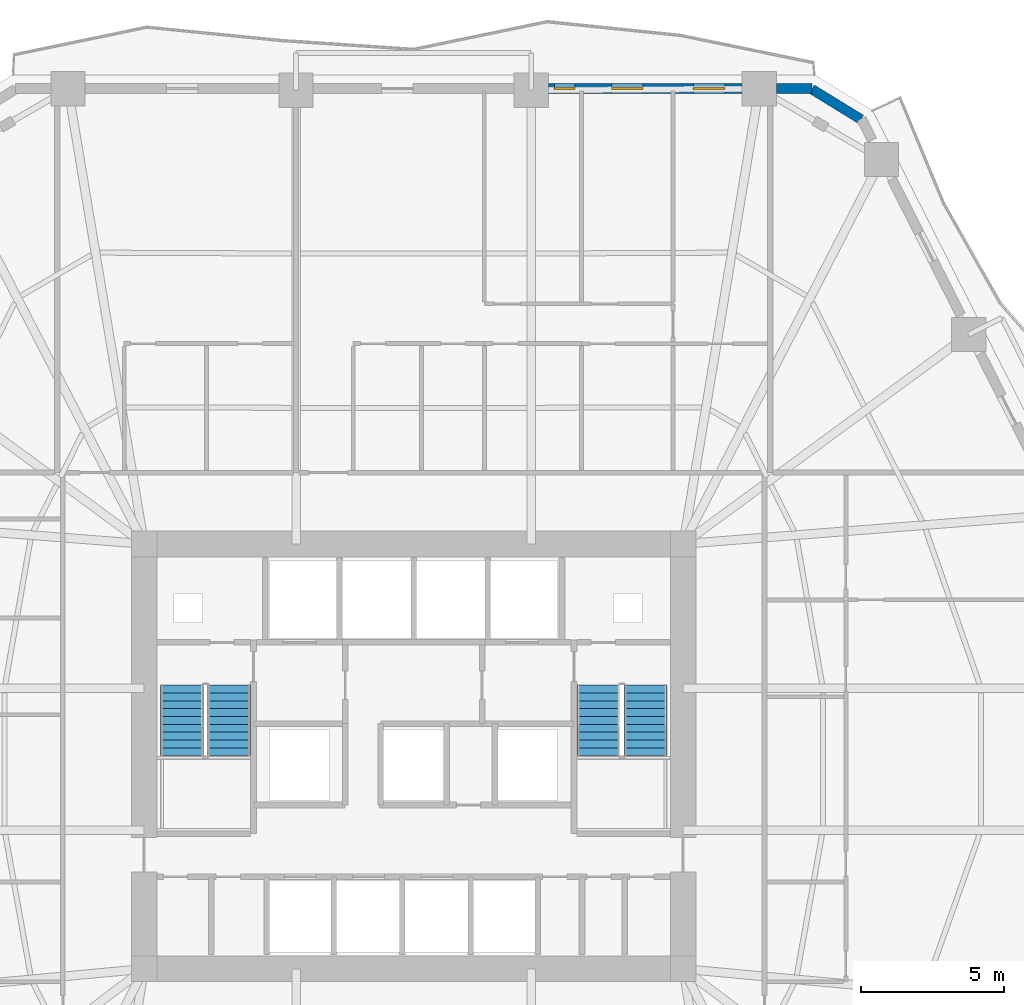
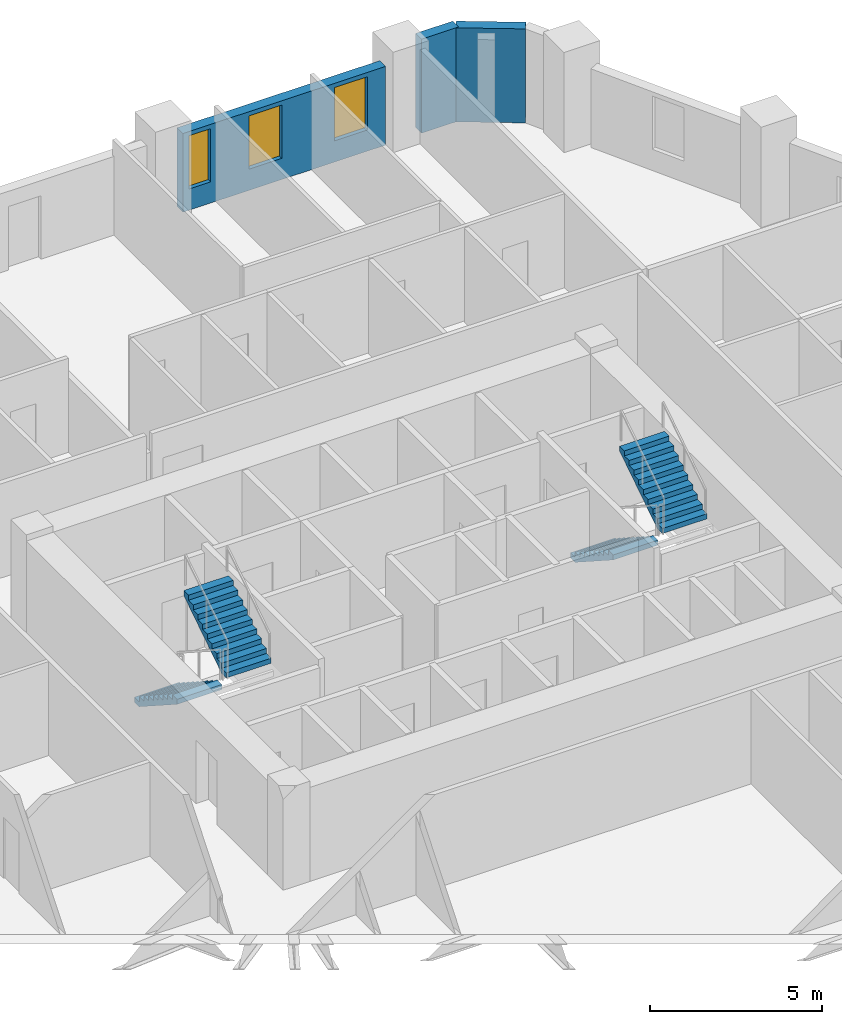
# One storey, part 8 of 11: 4 stair flights, 3 walls, 3 windows, 3 openings, 2 elements without a shape of their own.
"""IFC4 building model written with IfcOpenShell, lengths in metres."""

from ifc_helpers import new_model, si_unit, direction, frame, frame_2d, origin, place, context, subcontext, project, spatial, polyline, rectangle, outline, extrude, material, layer, layer_set, type_object, element, fill, aggregate, save


model = new_model("IFC4")

# Units and contexts
model_context = context("Model", 3, precision=1e-05, world=origin(), true_north=direction((0.0, 1.0)))
body_context = subcontext(model_context, "Body", "Model", "MODEL_VIEW")
ifc_project = project(units=[si_unit("LENGTHUNIT", "METRE"), si_unit("AREAUNIT", "SQUARE_METRE"), si_unit("VOLUMEUNIT", "CUBIC_METRE"), si_unit("PLANEANGLEUNIT", "RADIAN"), si_unit("MASSUNIT", "GRAM", prefix="KILO")], contexts=[model_context])

# Site, building, storey
site_placement = place(None, origin())
site = spatial("IfcSite", under=ifc_project, at=site_placement, CompositionType="ELEMENT")
building_placement = place(site_placement, origin())
building = spatial("IfcBuilding", under=site, at=building_placement, Name="Cinnabar Lancet Tower", CompositionType="ELEMENT")
storey_placement = place(building_placement, frame((0.0, 0.0, 46.199951171875)))
storey = spatial("IfcBuildingStorey", under=building, at=storey_placement, Name="L11", CompositionType="ELEMENT", Elevation=46.199951171875)

# Walls
ifc_material_1 = material(Name="Cinnabar red clay brick", Category="masonry")
ifc_layer = layer(ifc_material_1, 0.340087890625)
ifc_layer_set = layer_set([ifc_layer], Name="Cinnabar red clay brick")
wall_type = type_object("IfcWallType", Name="ENV-WL-BRK-RED-340", PredefinedType="STANDARD", material=ifc_layer_set)
wall_1_placement = place(storey_placement, frame((48.080078125, 48.238037109375, 0.0), z_axis=(0.0, 0.0, 1.0), x_axis=(-0.851870104345, 0.523753114857, 0.0)))
element("IfcWall", 1, at=wall_1_placement, inside=storey, type_object=wall_type, Name="L11 Chamfered Corner Brick Pier 4.1", PredefinedType="STANDARD", context=body_context, shape_type="SweptSolid", body=[
    extrude(rectangle(XDim=2.017822265625, YDim=0.340087890625, at=frame_2d((1.0087890625, 0.0))), origin(), (0.0, 0.0, 1.0), 3.330078125),
])
wall_2_placement = place(storey_placement, frame((46.365966796875, 49.320068359375, 0.0), z_axis=(0.0, 0.0, 1.0), x_axis=(-1.0, 0.0, 0.0)))
element("IfcWall", 2, at=wall_2_placement, inside=storey, type_object=wall_type, Name="L11 Face 4 Masonry Bay Wall 1", PredefinedType="STANDARD", context=body_context, shape_type="SweptSolid", body=[
    extrude(rectangle(XDim=1.244873046875, YDim=0.340087890625, at=frame_2d((0.62255859375, 0.0))), origin(), (0.0, 0.0, 1.0), 3.330078125),
])

# Wall, openings, windows
wall_3_placement = place(storey_placement, frame((43.9130859375, 49.320068359375, 0.0), z_axis=(0.0, 0.0, 1.0), x_axis=(-1.0, 0.0, 0.0)))
wall_3 = element("IfcWall", 3, at=wall_3_placement, inside=storey, type_object=wall_type, Name="L11 Face 4 Masonry Bay Wall 2", PredefinedType="STANDARD", context=body_context, shape_type="SweptSolid", body=[
    extrude(rectangle(XDim=6.787109375, YDim=0.340087890625, at=frame_2d((3.3935546875, 0.0))), origin(), (0.0, 0.0, 1.0), 2.787109375),
])
opening_1_placement = place(wall_3_placement, frame((0.60400390625, 0.0, 0.75)))
opening_1 = element("IfcOpeningElement", 4, at=opening_1_placement, cuts=wall_3, Name="Opening WN-04", PredefinedType="OPENING", context=body_context, shape_type="SweptSolid", body=[
    extrude(rectangle(XDim=1.10009765625, YDim=1.886962890625, at=frame_2d((0.550048828125, 0.943359375))), frame((0.0, 0.179931640625, 0.0), z_axis=(0.0, -1.0, 0.0), x_axis=(1.0, 0.0, 0.0)), (0.0, 0.0, 1.0), 0.360107421875),
])
opening_2_placement = place(wall_3_placement, frame((3.47412109375, 0.0, 0.75)))
opening_2 = element("IfcOpeningElement", 5, at=opening_2_placement, cuts=wall_3, Name="Opening WN-04", PredefinedType="OPENING", context=body_context, shape_type="SweptSolid", body=[
    extrude(rectangle(XDim=1.10009765625, YDim=1.886962890625, at=frame_2d((0.550048828125, 0.943359375))), frame((0.0, 0.179931640625, 0.0), z_axis=(0.0, -1.0, 0.0), x_axis=(1.0, 0.0, 0.0)), (0.0, 0.0, 1.0), 0.360107421875),
])
opening_3_placement = place(wall_3_placement, frame((5.861083984375, 0.0, 0.75)))
opening_3 = element("IfcOpeningElement", 6, at=opening_3_placement, cuts=wall_3, Name="Opening WN-04", PredefinedType="OPENING", context=body_context, shape_type="SweptSolid", body=[
    extrude(rectangle(XDim=0.716064453125, YDim=1.886962890625, at=frame_2d((0.35791015625, 0.943359375))), frame((0.0, 0.179931640625, 0.0), z_axis=(0.0, -1.0, 0.0), x_axis=(1.0, 0.0, 0.0)), (0.0, 0.0, 1.0), 0.360107421875),
])
ifc_material_2 = material(Name="Thermally broken bronze-anodized aluminium tall lancet window", Category="aluminium")
window_type = type_object("IfcWindowType", Name="ENV-WN-LANCET-1100", PartitioningType="SINGLE_PANEL", PredefinedType="WINDOW", material=ifc_material_2)
window_1_placement = place(opening_1_placement, origin())
window_1 = element("IfcWindow", 7, at=window_1_placement, inside=storey, type_object=window_type, Name="L11 Face 4 Gothic Lancet Window 2", OverallHeight=1.886962890625, OverallWidth=1.10009765625, PartitioningType="SINGLE_PANEL", PredefinedType="WINDOW", context=body_context, shape_type="SweptSolid", body=[
    extrude(rectangle(XDim=1.10009765625, YDim=1.886962890625, at=frame_2d((0.550048828125, 0.943359375))), frame((0.0, 0.030029296875, 0.0), z_axis=(0.0, -1.0, 0.0), x_axis=(1.0, 0.0, 0.0)), (0.0, 0.0, 1.0), 0.06005859375),
])
fill(opening_1, window_1)
window_2_placement = place(opening_2_placement, origin())
window_2 = element("IfcWindow", 8, at=window_2_placement, inside=storey, type_object=window_type, Name="L11 Split-Bay Gothic Lancet Window 22", OverallHeight=1.886962890625, OverallWidth=1.10009765625, PartitioningType="SINGLE_PANEL", PredefinedType="WINDOW", context=body_context, shape_type="SweptSolid", body=[
    extrude(rectangle(XDim=1.10009765625, YDim=1.886962890625, at=frame_2d((0.550048828125, 0.943359375))), frame((0.0, 0.030029296875, 0.0), z_axis=(0.0, -1.0, 0.0), x_axis=(1.0, 0.0, 0.0)), (0.0, 0.0, 1.0), 0.06005859375),
])
fill(opening_2, window_2)
window_3_placement = place(opening_3_placement, origin())
window_3 = element("IfcWindow", 9, at=window_3_placement, inside=storey, type_object=window_type, Name="L11 Dwelling Gothic Lancet Window 304", OverallHeight=1.886962890625, OverallWidth=0.716064453125, PartitioningType="SINGLE_PANEL", PredefinedType="WINDOW", context=body_context, shape_type="SweptSolid", body=[
    extrude(rectangle(XDim=0.716064453125, YDim=1.886962890625, at=frame_2d((0.35791015625, 0.943359375))), frame((0.0, 0.030029296875, 0.0), z_axis=(0.0, -1.0, 0.0), x_axis=(1.0, 0.0, 0.0)), (0.0, 0.0, 1.0), 0.06005859375),
])
fill(opening_3, window_3)

# Stair, stair flights
ifc_material_3 = material(Name="Concrete C40/50", Category="concrete")
stair_type = type_object("IfcStairType", Name="ST-CORE", PredefinedType="HALF_TURN_STAIR", material=ifc_material_3)
stair_1_placement = place(storey_placement, origin())
stair_1 = element("IfcStair", 10, at=stair_1_placement, inside=storey, type_object=stair_type, Name="L11 ST-1", PredefinedType="HALF_TURN_STAIR")
ifc_material_4 = material(Name="Concrete C40/50", Category="concrete")
stair_flight_type = type_object("IfcStairFlightType", Name="FLIGHT-CORE", PredefinedType="STRAIGHT", material=ifc_material_4)
stair_flight_1_placement = place(storey_placement, frame((24.27490234375, 28.39990234375, 0.0), z_axis=(0.0, 0.0, 1.0), x_axis=(0.0, -1.0, 0.0)))
stair_flight_1 = element("IfcStairFlight", 11, at=stair_flight_1_placement, type_object=stair_flight_type, Name="ST-1 flight 1", NumberOfRisers=10, NumberOfTreads=9, PredefinedType="STRAIGHT", RiserHeight=0.1775, TreadLength=0.275, context=body_context, shape_type="SweptSolid", body=[
    extrude(outline(polyline([(0.0, 0.0), (0.0, 0.177490234375), (0.27490234375, 0.177490234375), (0.27490234375, 0.35498046875), (0.550048828125, 0.35498046875), (0.550048828125, 0.532470703125), (0.824951171875, 0.532470703125), (0.824951171875, 0.7099609375), (1.10009765625, 0.7099609375), (1.10009765625, 0.887451171875), (1.375, 0.887451171875), (1.375, 1.06494140625), (1.64990234375, 1.06494140625), (1.64990234375, 1.242431640625), (1.925048828125, 1.242431640625), (1.925048828125, 1.419921875), (2.199951171875, 1.419921875), (2.199951171875, 1.597412109375), (2.47509765625, 1.597412109375), (2.47509765625, 1.77490234375), (2.47509765625, 1.419189453125), (0.2763671875, 0.0), (0.0, 0.0)])), frame((0.0, 0.75, 0.0), z_axis=(0.0, -1.0, 0.0), x_axis=(1.0, 0.0, 0.0)), (0.0, 0.0, 1.0), 1.5),
])
stair_flight_2_placement = place(storey_placement, frame((25.925048828125, 25.925048828125, 1.775146484375), z_axis=(0.0, 0.0, 1.0), x_axis=(0.0, 1.0, 0.0)))
stair_flight_2 = element("IfcStairFlight", 12, at=stair_flight_2_placement, type_object=stair_flight_type, Name="ST-1 flight 2", NumberOfRisers=10, NumberOfTreads=9, PredefinedType="STRAIGHT", RiserHeight=0.1775, TreadLength=0.275, context=body_context, shape_type="SweptSolid", body=[
    extrude(outline(polyline([(0.0, 0.0), (0.0, 0.177490234375), (0.27490234375, 0.177490234375), (0.27490234375, 0.35498046875), (0.550048828125, 0.35498046875), (0.550048828125, 0.532470703125), (0.824951171875, 0.532470703125), (0.824951171875, 0.7099609375), (1.10009765625, 0.7099609375), (1.10009765625, 0.887451171875), (1.375, 0.887451171875), (1.375, 1.06494140625), (1.64990234375, 1.06494140625), (1.64990234375, 1.242431640625), (1.925048828125, 1.242431640625), (1.925048828125, 1.419921875), (2.199951171875, 1.419921875), (2.199951171875, 1.597412109375), (2.47509765625, 1.597412109375), (2.47509765625, 1.77490234375), (2.47509765625, 1.419189453125), (0.2763671875, 0.0), (0.0, 0.0)])), frame((0.0, 0.75, 0.0), z_axis=(0.0, -1.0, 0.0), x_axis=(1.0, 0.0, 0.0)), (0.0, 0.0, 1.0), 1.5),
])
aggregate(stair_1, [stair_flight_1, stair_flight_2])

stair_2_placement = place(storey_placement, origin())
stair_2 = element("IfcStair", 13, at=stair_2_placement, inside=storey, type_object=stair_type, Name="L11 ST-2", PredefinedType="HALF_TURN_STAIR")
stair_flight_3_placement = place(storey_placement, frame((38.875, 28.39990234375, 0.0), z_axis=(0.0, 0.0, 1.0), x_axis=(0.0, -1.0, 0.0)))
stair_flight_3 = element("IfcStairFlight", 14, at=stair_flight_3_placement, type_object=stair_flight_type, Name="ST-2 flight 1", NumberOfRisers=10, NumberOfTreads=9, PredefinedType="STRAIGHT", RiserHeight=0.1775, TreadLength=0.275, context=body_context, shape_type="SweptSolid", body=[
    extrude(outline(polyline([(0.0, 0.0), (0.0, 0.177490234375), (0.27490234375, 0.177490234375), (0.27490234375, 0.35498046875), (0.550048828125, 0.35498046875), (0.550048828125, 0.532470703125), (0.824951171875, 0.532470703125), (0.824951171875, 0.7099609375), (1.10009765625, 0.7099609375), (1.10009765625, 0.887451171875), (1.375, 0.887451171875), (1.375, 1.06494140625), (1.64990234375, 1.06494140625), (1.64990234375, 1.242431640625), (1.925048828125, 1.242431640625), (1.925048828125, 1.419921875), (2.199951171875, 1.419921875), (2.199951171875, 1.597412109375), (2.47509765625, 1.597412109375), (2.47509765625, 1.77490234375), (2.47509765625, 1.419189453125), (0.2763671875, 0.0), (0.0, 0.0)])), frame((0.0, 0.75, 0.0), z_axis=(0.0, -1.0, 0.0), x_axis=(1.0, 0.0, 0.0)), (0.0, 0.0, 1.0), 1.5),
])
stair_flight_4_placement = place(storey_placement, frame((40.52490234375, 25.925048828125, 1.775146484375), z_axis=(0.0, 0.0, 1.0), x_axis=(0.0, 1.0, 0.0)))
stair_flight_4 = element("IfcStairFlight", 15, at=stair_flight_4_placement, type_object=stair_flight_type, Name="ST-2 flight 2", NumberOfRisers=10, NumberOfTreads=9, PredefinedType="STRAIGHT", RiserHeight=0.1775, TreadLength=0.275, context=body_context, shape_type="SweptSolid", body=[
    extrude(outline(polyline([(0.0, 0.0), (0.0, 0.177490234375), (0.27490234375, 0.177490234375), (0.27490234375, 0.35498046875), (0.550048828125, 0.35498046875), (0.550048828125, 0.532470703125), (0.824951171875, 0.532470703125), (0.824951171875, 0.7099609375), (1.10009765625, 0.7099609375), (1.10009765625, 0.887451171875), (1.375, 0.887451171875), (1.375, 1.06494140625), (1.64990234375, 1.06494140625), (1.64990234375, 1.242431640625), (1.925048828125, 1.242431640625), (1.925048828125, 1.419921875), (2.199951171875, 1.419921875), (2.199951171875, 1.597412109375), (2.47509765625, 1.597412109375), (2.47509765625, 1.77490234375), (2.47509765625, 1.419189453125), (0.2763671875, 0.0), (0.0, 0.0)])), frame((0.0, 0.75, 0.0), z_axis=(0.0, -1.0, 0.0), x_axis=(1.0, 0.0, 0.0)), (0.0, 0.0, 1.0), 1.5),
])
aggregate(stair_2, [stair_flight_3, stair_flight_4])

save(model, "model.ifc")
